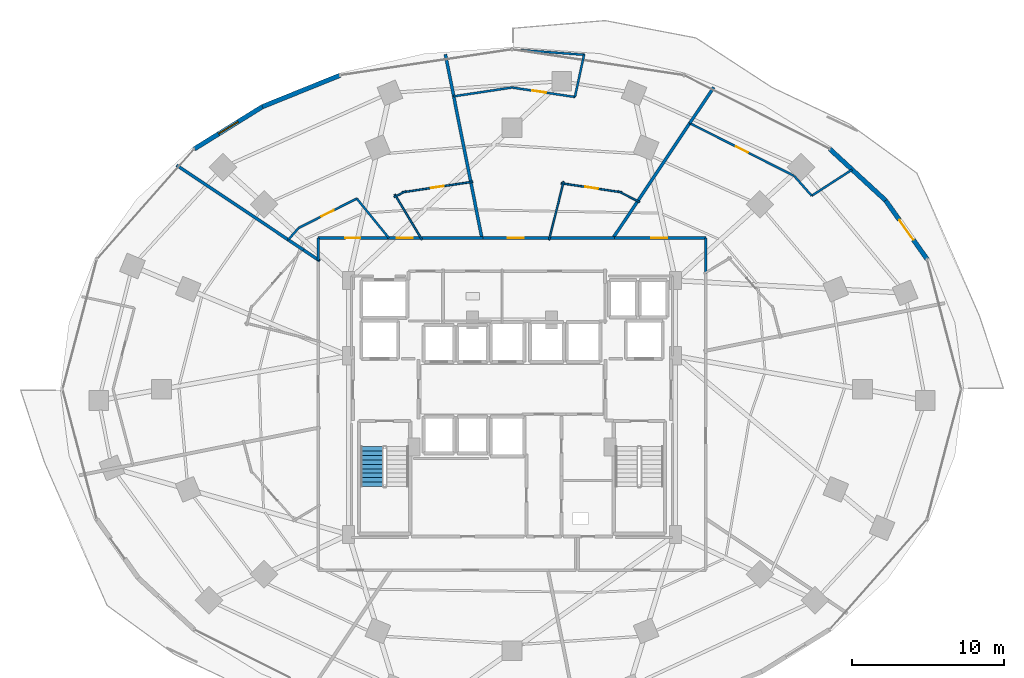
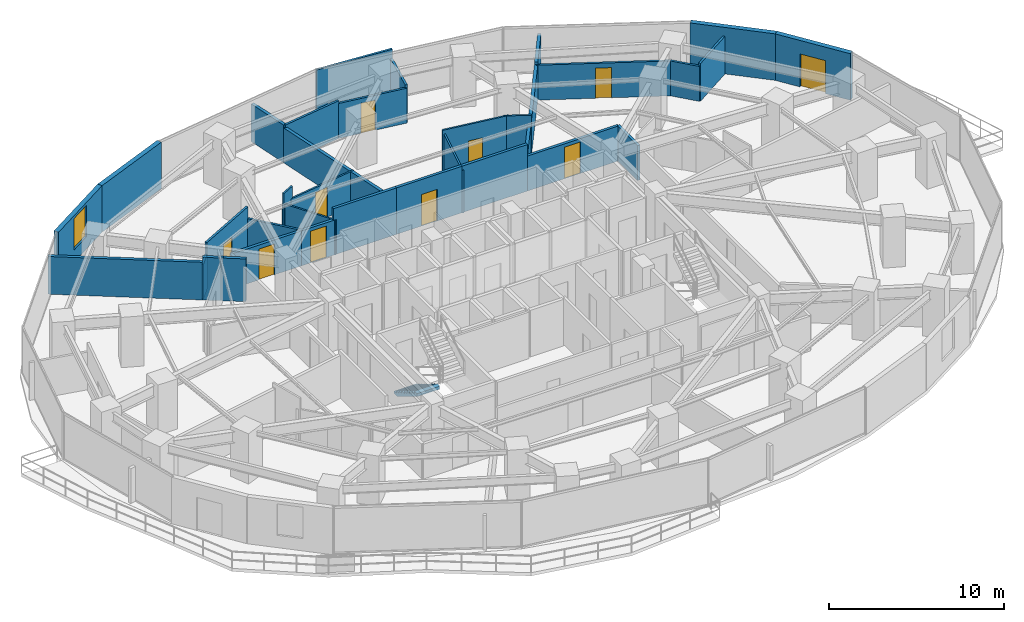
# One storey, part 29 of 33: 35 walls, 10 doors, 1 stair flight, 1 window, 11 openings, 1 element without a shape of its own.
"""IFC4 building model written with IfcOpenShell, lengths in metres."""

from ifc_helpers import new_model, si_unit, direction, frame, frame_2d, origin, place, context, subcontext, project, spatial, polyline, rectangle, outline, extrude, material, layer, layer_set, type_object, element, fill, aggregate, save


model = new_model("IFC4")

# Units and contexts
model_context = context("Model", 3, precision=1e-05, world=origin(), true_north=direction((0.0, 1.0)))
body_context = subcontext(model_context, "Body", "Model", "MODEL_VIEW")
ifc_project = project(units=[si_unit("LENGTHUNIT", "METRE"), si_unit("AREAUNIT", "SQUARE_METRE"), si_unit("VOLUMEUNIT", "CUBIC_METRE"), si_unit("PLANEANGLEUNIT", "RADIAN"), si_unit("MASSUNIT", "GRAM", prefix="KILO")], contexts=[model_context])

# Site, building, storey
site_placement = place(None, origin())
site = spatial("IfcSite", under=ifc_project, at=site_placement, CompositionType="ELEMENT")
building_placement = place(site_placement, origin())
building = spatial("IfcBuilding", under=site, at=building_placement, Name="Vorneva Point Tower", CompositionType="ELEMENT")
storey_placement = place(building_placement, frame((0.0, 0.0, 34.5)))
storey = spatial("IfcBuildingStorey", under=building, at=storey_placement, Name="L08", CompositionType="ELEMENT", Elevation=34.5)

# Wall, opening, door
ifc_material_1 = material(Name="Precast concrete B50 (C40/50)", Category="concrete")
ifc_layer_1 = layer(ifc_material_1, 0.300048828125)
ifc_layer_set_1 = layer_set([ifc_layer_1], Name="Precast concrete B50 (C40/50)")
wall_type_1 = type_object("IfcWallType", Name="WL-EXT-300", PredefinedType="STANDARD", material=ifc_layer_set_1)
wall_1_placement = place(storey_placement, frame((65.300537109375, 34.552978515625, 0.0), z_axis=(0.0, 0.0, 1.0), x_axis=(-0.577130815624, 0.816651713803, 0.0)))
wall_1 = element("IfcWall", 1, at=wall_1_placement, inside=storey, type_object=wall_type_1, Name="L08 Pale-Metal Facade Spandrel Wall 02.1", PredefinedType="STANDARD", context=body_context, shape_type="SweptSolid", body=[
    extrude(rectangle(XDim=4.7314453125, YDim=0.300048828125, at=frame_2d((2.36572265625, 0.0))), origin(), (0.0, 0.0, 1.0), 3.239990234375),
])
opening_1_placement = place(wall_1_placement, frame((1.56591796875, 0.0, 0.0)))
opening_1 = element("IfcOpeningElement", 2, at=opening_1_placement, cuts=wall_1, Name="Opening BD-01", PredefinedType="OPENING", context=body_context, shape_type="SweptSolid", body=[
    extrude(rectangle(XDim=1.60009765625, YDim=2.300048828125, at=frame_2d((0.800048828125, 1.14990234375))), frame((0.0, 0.1650390625, 0.0), z_axis=(0.0, -1.0, 0.0), x_axis=(1.0, 0.0, 0.0)), (0.0, 0.0, 1.0), 0.329833984375),
])
ifc_material_2 = material(Name="Pale anodised aluminium", Category="aluminium")
door_type_1 = type_object("IfcDoorType", Name="DR-BAL-1600", OperationType="SLIDING_TO_LEFT", PredefinedType="DOOR", material=ifc_material_2)
door_1_placement = place(opening_1_placement, origin())
door_1 = element("IfcDoor", 3, at=door_1_placement, inside=storey, type_object=door_type_1, Name="L08 Balcony Terrace Access Door 02", OperationType="SLIDING_TO_LEFT", OverallHeight=2.300048828125, OverallWidth=1.60009765625, PredefinedType="DOOR", context=body_context, shape_type="SweptSolid", body=[
    extrude(rectangle(XDim=1.60009765625, YDim=2.300048828125, at=frame_2d((0.800048828125, 1.14990234375))), frame((0.0, 0.02490234375, 0.0), z_axis=(0.0, -1.0, 0.0), x_axis=(1.0, 0.0, 0.0)), (0.0, 0.0, 1.0), 0.050048828125),
])
fill(opening_1, door_1)

# Walls
wall_2_placement = place(storey_placement, frame((62.56982421875, 38.4169921875, 0.0), z_axis=(0.0, 0.0, 1.0), x_axis=(-0.735342629635, 0.677695519419, 0.0)))
element("IfcWall", 4, at=wall_2_placement, inside=storey, type_object=wall_type_1, Name="L08 Pale-Metal Facade Spandrel Wall 02.2", PredefinedType="STANDARD", context=body_context, shape_type="SweptSolid", body=[
    extrude(rectangle(XDim=4.997314453125, YDim=0.300048828125, at=frame_2d((2.49853515625, 0.0))), origin(), (0.0, 0.0, 1.0), 3.239990234375),
])
wall_3_placement = place(storey_placement, frame((26.691650390625, 46.648681640625, 0.0), z_axis=(0.0, 0.0, 1.0), x_axis=(-0.927095325176, -0.374825636845, 0.0)))
element("IfcWall", 5, at=wall_3_placement, inside=storey, type_object=wall_type_1, Name="L08 Pale-Metal Facade Spandrel Wall 06.1", PredefinedType="STANDARD", context=body_context, shape_type="SweptSolid", body=[
    extrude(rectangle(XDim=5.51025390625, YDim=0.300048828125, at=frame_2d((2.755126953125, 0.0))), origin(), (0.0, 0.0, 1.0), 3.239990234375),
])

# Wall, opening, window
wall_4_placement = place(storey_placement, frame((21.5830078125, 44.583251953125, 0.0), z_axis=(0.0, 0.0, 1.0), x_axis=(-0.849633724826, -0.527373239404, 0.0)))
wall_4 = element("IfcWall", 6, at=wall_4_placement, inside=storey, type_object=wall_type_1, Name="L08 Pale-Metal Facade Spandrel Wall 06.2", PredefinedType="STANDARD", context=body_context, shape_type="SweptSolid", body=[
    extrude(rectangle(XDim=5.2705078125, YDim=0.300048828125, at=frame_2d((2.63525390625, 0.0))), origin(), (0.0, 0.0, 1.0), 3.239990234375),
])
opening_2_placement = place(wall_4_placement, frame((1.88525390625, 0.0, 0.85009765625)))
opening_2 = element("IfcOpeningElement", 7, at=opening_2_placement, cuts=wall_4, Name="Opening W-02", PredefinedType="OPENING", context=body_context, shape_type="SweptSolid", body=[
    extrude(rectangle(XDim=1.5, YDim=2.18994140625, at=frame_2d((0.75, 1.094970703125))), frame((0.0, 0.1650390625, 0.0), z_axis=(0.0, -1.0, 0.0), x_axis=(1.0, 0.0, 0.0)), (0.0, 0.0, 1.0), 0.329833984375),
])
ifc_material_3 = material(Name="Double low-e laminated glass IGU", Category="glass")
window_type = type_object("IfcWindowType", Name="WN-HTL-1500", PartitioningType="SINGLE_PANEL", PredefinedType="WINDOW", material=ifc_material_3)
window_placement = place(opening_2_placement, origin())
window = element("IfcWindow", 8, at=window_placement, inside=storey, type_object=window_type, Name="L08 Facade Window 06", OverallHeight=2.18994140625, OverallWidth=1.5, PartitioningType="SINGLE_PANEL", PredefinedType="WINDOW", context=body_context, shape_type="SweptSolid", body=[
    extrude(rectangle(XDim=1.5, YDim=2.18994140625, at=frame_2d((0.75, 1.094970703125))), frame((0.0, 0.030029296875, 0.0), z_axis=(0.0, -1.0, 0.0), x_axis=(1.0, 0.0, 0.0)), (0.0, 0.0, 1.0), 0.06005859375),
])
fill(opening_2, window)

# Wall
ifc_material_4 = material(Name="Fire-rated acoustic gypsum stud partition", Category="gypsum")
ifc_layer_2 = layer(ifc_material_4, 0.110107421875)
ifc_layer_set_2 = layer_set([ifc_layer_2], Name="Fire-rated acoustic gypsum stud partition")
wall_type_2 = type_object("IfcWallType", Name="WL-PART-110", PredefinedType="PARTITIONING", material=ifc_layer_set_2)
wall_5_placement = place(storey_placement, frame((40.438232421875, 35.814208984375, 0.0), z_axis=(0.0, 0.0, 1.0), x_axis=(0.24101554649, 0.970521254971, 0.0)))
element("IfcWall", 9, at=wall_5_placement, inside=storey, type_object=wall_type_2, Name="L08 Interior Partition 053", PredefinedType="PARTITIONING", context=body_context, shape_type="SweptSolid", body=[
    extrude(rectangle(XDim=3.96875, YDim=0.110107421875, at=frame_2d((1.984375, 0.0))), origin(), (0.0, 0.0, 1.0), 2.971923828125),
])

# Wall, opening, door
wall_6_placement = place(storey_placement, frame((41.22265625, 39.55078125, 0.0), z_axis=(0.0, 0.0, 1.0), x_axis=(0.988911221338, -0.148507899833, 0.0)))
wall_6 = element("IfcWall", 10, at=wall_6_placement, inside=storey, type_object=wall_type_2, Name="L08 Interior Partition 054", PredefinedType="PARTITIONING", context=body_context, shape_type="SweptSolid", body=[
    extrude(rectangle(XDim=4.06396484375, YDim=0.110107421875, at=frame_2d((2.031982421875, 0.0))), origin(), (0.0, 0.0, 1.0), 3.239990234375),
])
opening_3_placement = place(wall_6_placement, frame((1.60693359375, 0.0, 0.0)))
opening_3 = element("IfcOpeningElement", 11, at=opening_3_placement, cuts=wall_6, Name="Opening ID-02", PredefinedType="OPENING", context=body_context, shape_type="SweptSolid", body=[
    extrude(rectangle(XDim=0.85009765625, YDim=2.10009765625, at=frame_2d((0.425048828125, 1.050048828125))), frame((0.0, 0.06982421875, 0.0), z_axis=(0.0, -1.0, 0.0), x_axis=(1.0, 0.0, 0.0)), (0.0, 0.0, 1.0), 0.139892578125),
])
ifc_material_5 = material(Name="Engineered oak fire-rated door leaf", Category="wood")
door_type_2 = type_object("IfcDoorType", Name="DR-BATH-850", OperationType="NOTDEFINED", PredefinedType="DOOR", material=ifc_material_5)
door_2_placement = place(opening_3_placement, origin())
door_2 = element("IfcDoor", 12, at=door_2_placement, inside=storey, type_object=door_type_2, Name="L08 Door Corner Suite L08-02 / En-Suite Bathroom L08-02", OperationType="SINGLE_SWING_RIGHT", OverallHeight=2.10009765625, OverallWidth=0.85009765625, PredefinedType="DOOR", context=body_context, shape_type="SweptSolid", body=[
    extrude(rectangle(XDim=0.85009765625, YDim=2.10009765625, at=frame_2d((0.425048828125, 1.050048828125))), frame((0.0, 0.02490234375, 0.0), z_axis=(0.0, -1.0, 0.0), x_axis=(1.0, 0.0, 0.0)), (0.0, 0.0, 1.0), 0.050048828125),
])
fill(opening_3, door_2)

# Walls
wall_7_placement = place(storey_placement, frame((44.97802734375, 39.03125, 0.0), z_axis=(0.0, 0.0, 1.0), x_axis=(0.892388427115, -0.451268096758, 0.0)))
element("IfcWall", 13, at=wall_7_placement, inside=storey, type_object=wall_type_2, Name="L08 Interior Partition 055", PredefinedType="PARTITIONING", context=body_context, shape_type="SweptSolid", body=[
    extrude(rectangle(XDim=1.587890625, YDim=0.110107421875, at=frame_2d((0.7939453125, 0.0))), origin(), (0.0, 0.0, 1.0), 3.239990234375),
])
wall_8_placement = place(storey_placement, frame((32.082275390625, 35.830078125, 0.0), z_axis=(0.0, 0.0, 1.0), x_axis=(-0.51585529038, 0.856675737597, 0.0)))
element("IfcWall", 14, at=wall_8_placement, inside=storey, type_object=wall_type_2, Name="L08 Interior Partition 062", PredefinedType="PARTITIONING", context=body_context, shape_type="SweptSolid", body=[
    extrude(rectangle(XDim=3.484130859375, YDim=0.110107421875, at=frame_2d((1.7421875, 0.0))), origin(), (0.0, 0.0, 1.0), 2.431884765625),
])
wall_9_placement = place(storey_placement, frame((30.232177734375, 38.6318359375, 0.0), z_axis=(0.0, 0.0, 1.0), x_axis=(0.892376579336, 0.451291525129, 0.0)))
element("IfcWall", 15, at=wall_9_placement, inside=storey, type_object=wall_type_2, Name="L08 Interior Partition 063", PredefinedType="PARTITIONING", context=body_context, shape_type="SweptSolid", body=[
    extrude(rectangle(XDim=0.885009765625, YDim=0.110107421875, at=frame_2d((0.4423828125, 0.0))), origin(), (0.0, 0.0, 1.0), 3.239990234375),
])

# Wall, opening, door
wall_10_placement = place(storey_placement, frame((30.758544921875, 38.947265625, 0.0), z_axis=(0.0, 0.0, 1.0), x_axis=(0.9889029502, 0.148562966739, 0.0)))
wall_10 = element("IfcWall", 16, at=wall_10_placement, inside=storey, type_object=wall_type_2, Name="L08 Interior Partition 064", PredefinedType="PARTITIONING", context=body_context, shape_type="SweptSolid", body=[
    extrude(rectangle(XDim=4.721435546875, YDim=0.110107421875, at=frame_2d((2.36083984375, 0.0))), origin(), (0.0, 0.0, 1.0), 2.431884765625),
])
opening_4_placement = place(wall_10_placement, frame((1.935546875, 0.0, 0.0)))
opening_4 = element("IfcOpeningElement", 17, at=opening_4_placement, cuts=wall_10, Name="Opening ID-02", PredefinedType="OPENING", context=body_context, shape_type="SweptSolid", body=[
    extrude(rectangle(XDim=0.85009765625, YDim=2.10009765625, at=frame_2d((0.425048828125, 1.050048828125))), frame((0.0, 0.06982421875, 0.0), z_axis=(0.0, -1.0, 0.0), x_axis=(1.0, 0.0, 0.0)), (0.0, 0.0, 1.0), 0.139892578125),
])
door_3_placement = place(opening_4_placement, origin())
door_3 = element("IfcDoor", 18, at=door_3_placement, inside=storey, type_object=door_type_2, Name="L08 Door Junior Suite L08-03 / En-Suite Bathroom L08-03", OperationType="SINGLE_SWING_LEFT", OverallHeight=2.10009765625, OverallWidth=0.85009765625, PredefinedType="DOOR", context=body_context, shape_type="SweptSolid", body=[
    extrude(rectangle(XDim=0.85009765625, YDim=2.10009765625, at=frame_2d((0.425048828125, 1.050048828125))), frame((0.0, 0.02490234375, 0.0), z_axis=(0.0, -1.0, 0.0), x_axis=(1.0, 0.0, 0.0)), (0.0, 0.0, 1.0), 0.050048828125),
])
fill(opening_4, door_3)

# Walls
ifc_layer_3 = layer(ifc_material_4, 0.139892578125)
ifc_layer_set_3 = layer_set([ifc_layer_3], Name="Fire-rated acoustic gypsum stud partition")
wall_type_3 = type_object("IfcWallType", Name="WL-PART-140", PredefinedType="PARTITIONING", material=ifc_layer_set_3)
wall_11_placement = place(storey_placement, frame((60.368896484375, 40.443115234375, 0.0), z_axis=(0.0, 0.0, 1.0), x_axis=(-0.840157237287, -0.542342895809, 0.0)))
element("IfcWall", 19, at=wall_11_placement, inside=storey, type_object=wall_type_3, Name="L08 Interior Partition 046", PredefinedType="PARTITIONING", context=body_context, shape_type="SweptSolid", body=[
    extrude(rectangle(XDim=3.166015625, YDim=0.139892578125, at=frame_2d((1.5830078125, 0.0))), origin(), (0.0, 0.0, 1.0), 2.6240234375),
])
wall_12_placement = place(storey_placement, frame((57.708984375, 38.72607421875, 0.0), z_axis=(0.0, 0.0, 1.0), x_axis=(-0.662510427818, 0.749052690425, 0.0)))
element("IfcWall", 20, at=wall_12_placement, inside=storey, type_object=wall_type_3, Name="L08 Interior Partition 047", PredefinedType="PARTITIONING", context=body_context, shape_type="SweptSolid", body=[
    extrude(rectangle(XDim=1.743408203125, YDim=0.139892578125, at=frame_2d((0.87158203125, 0.0))), origin(), (0.0, 0.0, 1.0), 2.431884765625),
])

# Wall, opening, door
wall_13_placement = place(storey_placement, frame((56.553955078125, 40.031982421875, 0.0), z_axis=(0.0, 0.0, 1.0), x_axis=(-0.892545780062, 0.450956794487, 0.0)))
wall_13 = element("IfcWall", 21, at=wall_13_placement, inside=storey, type_object=wall_type_3, Name="L08 Interior Partition 048", PredefinedType="PARTITIONING", context=body_context, shape_type="SweptSolid", body=[
    extrude(rectangle(XDim=7.688232421875, YDim=0.139892578125, at=frame_2d((3.84423828125, 0.0))), origin(), (0.0, 0.0, 1.0), 2.431884765625),
])
opening_5_placement = place(wall_13_placement, frame((3.39404296875, 0.0, 0.0)))
opening_5 = element("IfcOpeningElement", 22, at=opening_5_placement, cuts=wall_13, Name="Opening ID-01", PredefinedType="OPENING", context=body_context, shape_type="SweptSolid", body=[
    extrude(rectangle(XDim=0.89990234375, YDim=2.10009765625, at=frame_2d((0.449951171875, 1.050048828125))), frame((0.0, 0.0849609375, 0.0), z_axis=(0.0, -1.0, 0.0), x_axis=(1.0, 0.0, 0.0)), (0.0, 0.0, 1.0), 0.169677734375),
])
door_type_3 = type_object("IfcDoorType", Name="DR-ROOM-900", OperationType="NOTDEFINED", PredefinedType="DOOR", material=ifc_material_5)
door_4_placement = place(opening_5_placement, origin())
door_4 = element("IfcDoor", 23, at=door_4_placement, inside=storey, type_object=door_type_3, Name="L08 Door Executive Suite L08-01 / Suite Sitting Study L08-01", OperationType="SINGLE_SWING_LEFT", OverallHeight=2.10009765625, OverallWidth=0.89990234375, PredefinedType="DOOR", context=body_context, shape_type="SweptSolid", body=[
    extrude(rectangle(XDim=0.89990234375, YDim=2.10009765625, at=frame_2d((0.449951171875, 1.050048828125))), frame((0.0, 0.02490234375, 0.0), z_axis=(0.0, -1.0, 0.0), x_axis=(1.0, 0.0, 0.0)), (0.0, 0.0, 1.0), 0.050048828125),
])
fill(opening_5, door_4)

# Walls
wall_14_placement = place(storey_placement, frame((42.7958984375, 47.991943359375, 0.0), z_axis=(0.0, 0.0, 1.0), x_axis=(-0.99722311136, 0.074471915311, 0.0)))
element("IfcWall", 24, at=wall_14_placement, inside=storey, type_object=wall_type_3, Name="L08 Interior Partition 056", PredefinedType="PARTITIONING", context=body_context, shape_type="SweptSolid", body=[
    extrude(rectangle(XDim=4.809326171875, YDim=0.139892578125, at=frame_2d((2.40478515625, 0.0))), origin(), (0.0, 0.0, 1.0), 3.239990234375),
])
wall_15_placement = place(storey_placement, frame((42.736083984375, 47.99609375, 0.0), z_axis=(0.0, 0.0, 1.0), x_axis=(-0.210697687201, -0.977551269555, 0.0)))
element("IfcWall", 25, at=wall_15_placement, inside=storey, type_object=wall_type_3, Name="L08 Interior Partition 057", PredefinedType="PARTITIONING", context=body_context, shape_type="SweptSolid", body=[
    extrude(rectangle(XDim=2.8388671875, YDim=0.139892578125, at=frame_2d((1.41943359375, 0.0))), origin(), (0.0, 0.0, 1.0), 2.6240234375),
])

# Wall, opening, door
wall_16_placement = place(storey_placement, frame((42.137939453125, 45.220947265625, 0.0), z_axis=(0.0, 0.0, 1.0), x_axis=(-0.988853606593, 0.148891049857, 0.0)))
wall_16 = element("IfcWall", 26, at=wall_16_placement, inside=storey, type_object=wall_type_3, Name="L08 Interior Partition 058", PredefinedType="PARTITIONING", context=body_context, shape_type="SweptSolid", body=[
    extrude(rectangle(XDim=4.1845703125, YDim=0.139892578125, at=frame_2d((2.09228515625, 0.0))), origin(), (0.0, 0.0, 1.0), 2.431884765625),
])
opening_6_placement = place(wall_16_placement, frame((1.92236328125, 0.0, 0.0)))
opening_6 = element("IfcOpeningElement", 27, at=opening_6_placement, cuts=wall_16, Name="Opening ID-01", PredefinedType="OPENING", context=body_context, shape_type="SweptSolid", body=[
    extrude(rectangle(XDim=0.89990234375, YDim=2.10009765625, at=frame_2d((0.449951171875, 1.050048828125))), frame((0.0, 0.0849609375, 0.0), z_axis=(0.0, -1.0, 0.0), x_axis=(1.0, 0.0, 0.0)), (0.0, 0.0, 1.0), 0.169677734375),
])
door_5_placement = place(opening_6_placement, origin())
door_5 = element("IfcDoor", 28, at=door_5_placement, inside=storey, type_object=door_type_3, Name="L08 Door Corner Suite L08-02 / Suite Sitting Study L08-02", OperationType="SINGLE_SWING_RIGHT", OverallHeight=2.10009765625, OverallWidth=0.89990234375, PredefinedType="DOOR", context=body_context, shape_type="SweptSolid", body=[
    extrude(rectangle(XDim=0.89990234375, YDim=2.10009765625, at=frame_2d((0.449951171875, 1.050048828125))), frame((0.0, 0.02490234375, 0.0), z_axis=(0.0, -1.0, 0.0), x_axis=(1.0, 0.0, 0.0)), (0.0, 0.0, 1.0), 0.050048828125),
])
fill(opening_6, door_5)

# Walls
wall_17_placement = place(storey_placement, frame((38.0, 45.843994140625, 0.0), z_axis=(0.0, 0.0, 1.0), x_axis=(-0.988862311426, -0.148833225599, 0.0)))
element("IfcWall", 29, at=wall_17_placement, inside=storey, type_object=wall_type_3, Name="L08 Interior Partition 059", PredefinedType="PARTITIONING", context=body_context, shape_type="SweptSolid", body=[
    extrude(rectangle(XDim=3.876220703125, YDim=0.139892578125, at=frame_2d((1.93798828125, 0.0))), origin(), (0.0, 0.0, 1.0), 2.6240234375),
])
wall_18_placement = place(storey_placement, frame((23.283935546875, 35.83203125, 0.0), z_axis=(0.0, 0.0, 1.0), x_axis=(0.662462125237, 0.749095409561, 0.0)))
element("IfcWall", 30, at=wall_18_placement, inside=storey, type_object=wall_type_3, Name="L08 Interior Partition 065", PredefinedType="PARTITIONING", context=body_context, shape_type="SweptSolid", body=[
    extrude(rectangle(XDim=1.037109375, YDim=0.139892578125, at=frame_2d((0.5185546875, 0.0))), origin(), (0.0, 0.0, 1.0), 2.431884765625),
])

# Wall, opening, door
wall_19_placement = place(storey_placement, frame((23.970947265625, 36.60888671875, 0.0), z_axis=(0.0, 0.0, 1.0), x_axis=(0.892445030909, 0.451156144596, 0.0)))
wall_19 = element("IfcWall", 31, at=wall_19_placement, inside=storey, type_object=wall_type_3, Name="L08 Interior Partition 066", PredefinedType="PARTITIONING", context=body_context, shape_type="SweptSolid", body=[
    extrude(rectangle(XDim=4.280517578125, YDim=0.139892578125, at=frame_2d((2.14013671875, 0.0))), origin(), (0.0, 0.0, 1.0), 3.239990234375),
])
opening_7_placement = place(wall_19_placement, frame((1.690185546875, 0.0, 0.0)))
opening_7 = element("IfcOpeningElement", 32, at=opening_7_placement, cuts=wall_19, Name="Opening ID-01", PredefinedType="OPENING", context=body_context, shape_type="SweptSolid", body=[
    extrude(rectangle(XDim=0.89990234375, YDim=2.10009765625, at=frame_2d((0.449951171875, 1.050048828125))), frame((0.0, 0.0849609375, 0.0), z_axis=(0.0, -1.0, 0.0), x_axis=(1.0, 0.0, 0.0)), (0.0, 0.0, 1.0), 0.169677734375),
])
door_6_placement = place(opening_7_placement, origin())
door_6 = element("IfcDoor", 33, at=door_6_placement, inside=storey, type_object=door_type_3, Name="L08 Door Junior Suite L08-03 / Suite Sitting Study L08-03", OperationType="SINGLE_SWING_RIGHT", OverallHeight=2.10009765625, OverallWidth=0.89990234375, PredefinedType="DOOR", context=body_context, shape_type="SweptSolid", body=[
    extrude(rectangle(XDim=0.89990234375, YDim=2.10009765625, at=frame_2d((0.449951171875, 1.050048828125))), frame((0.0, 0.02490234375, 0.0), z_axis=(0.0, -1.0, 0.0), x_axis=(1.0, 0.0, 0.0)), (0.0, 0.0, 1.0), 0.050048828125),
])
fill(opening_7, door_6)

# Walls
wall_20_placement = place(storey_placement, frame((27.791015625, 38.5400390625, 0.0), z_axis=(0.0, 0.0, 1.0), x_axis=(0.631217195835, -0.775606118904, 0.0)))
element("IfcWall", 34, at=wall_20_placement, inside=storey, type_object=wall_type_3, Name="L08 Interior Partition 067", PredefinedType="PARTITIONING", context=body_context, shape_type="SweptSolid", body=[
    extrude(rectangle(XDim=3.33935546875, YDim=0.139892578125, at=frame_2d((1.669677734375, 0.0))), origin(), (0.0, 0.0, 1.0), 2.431884765625),
])
ifc_material_6 = material(Name="Autoclaved aerated concrete blockwork", Category="masonry")
ifc_layer_4 = layer(ifc_material_6, 0.179931640625)
ifc_layer_set_4 = layer_set([ifc_layer_4], Name="Autoclaved aerated concrete blockwork")
wall_type_4 = type_object("IfcWallType", Name="WL-PART-180", PredefinedType="PARTITIONING", material=ifc_layer_set_4)
wall_21_placement = place(storey_placement, frame((50.75, 33.615966796875, 0.0), z_axis=(0.0, 0.0, 1.0), x_axis=(0.0, 1.0, 0.0)))
element("IfcWall", 35, at=wall_21_placement, inside=storey, type_object=wall_type_4, Name="L08 Interior Partition 022", PredefinedType="PARTITIONING", context=body_context, shape_type="SweptSolid", body=[
    extrude(rectangle(XDim=2.333984375, YDim=0.179931640625, at=frame_2d((1.1669921875, 0.0))), origin(), (0.0, 0.0, 1.0), 2.431884765625),
])

# Wall, opening, door
wall_22_placement = place(storey_placement, frame((50.75, 35.949951171875, 0.0), z_axis=(0.0, 0.0, 1.0), x_axis=(-1.0, 0.0, 0.0)))
wall_22 = element("IfcWall", 36, at=wall_22_placement, inside=storey, type_object=wall_type_4, Name="L08 Interior Partition 023", PredefinedType="PARTITIONING", context=body_context, shape_type="SweptSolid", body=[
    extrude(rectangle(XDim=6.162109375, YDim=0.179931640625, at=frame_2d((3.0810546875, 0.0))), origin(), (0.0, 0.0, 1.0), 2.431884765625),
])
opening_8_placement = place(wall_22_placement, frame((2.555908203125, 0.0, 0.0)))
opening_8 = element("IfcOpeningElement", 37, at=opening_8_placement, cuts=wall_22, Name="Opening UD-02", PredefinedType="OPENING", context=body_context, shape_type="SweptSolid", body=[
    extrude(rectangle(XDim=1.050048828125, YDim=2.199951171875, at=frame_2d((0.52490234375, 1.10009765625))), frame((0.0, 0.10498046875, 0.0), z_axis=(0.0, -1.0, 0.0), x_axis=(1.0, 0.0, 0.0)), (0.0, 0.0, 1.0), 0.209716796875),
])
door_type_4 = type_object("IfcDoorType", Name="DR-SUITE-1050", OperationType="NOTDEFINED", PredefinedType="DOOR", material=ifc_material_5)
door_7_placement = place(opening_8_placement, origin())
door_7 = element("IfcDoor", 38, at=door_7_placement, inside=storey, type_object=door_type_4, Name="L08 Door L08 Circulation Corridor / Executive Suite L08-01", OperationType="SINGLE_SWING_LEFT", OverallHeight=2.199951171875, OverallWidth=1.050048828125, PredefinedType="DOOR", context=body_context, shape_type="SweptSolid", body=[
    extrude(rectangle(XDim=1.050048828125, YDim=2.199951171875, at=frame_2d((0.52490234375, 1.10009765625))), frame((0.0, 0.02490234375, 0.0), z_axis=(0.0, -1.0, 0.0), x_axis=(1.0, 0.0, 0.0)), (0.0, 0.0, 1.0), 0.050048828125),
])
fill(opening_8, door_7)

wall_23_placement = place(storey_placement, frame((40.533935546875, 35.949951171875, 0.0), z_axis=(0.0, 0.0, 1.0), x_axis=(-1.0, 0.0, 0.0)))
wall_23 = element("IfcWall", 39, at=wall_23_placement, inside=storey, type_object=wall_type_4, Name="L08 Interior Partition 025", PredefinedType="PARTITIONING", context=body_context, shape_type="SweptSolid", body=[
    extrude(rectangle(XDim=4.573974609375, YDim=0.179931640625, at=frame_2d((2.287109375, 0.0))), origin(), (0.0, 0.0, 1.0), 3.239990234375),
])
opening_9_placement = place(wall_23_placement, frame((1.761962890625, 0.0, 0.0)))
opening_9 = element("IfcOpeningElement", 40, at=opening_9_placement, cuts=wall_23, Name="Opening UD-02", PredefinedType="OPENING", context=body_context, shape_type="SweptSolid", body=[
    extrude(rectangle(XDim=1.050048828125, YDim=2.199951171875, at=frame_2d((0.52490234375, 1.10009765625))), frame((0.0, 0.10498046875, 0.0), z_axis=(0.0, -1.0, 0.0), x_axis=(1.0, 0.0, 0.0)), (0.0, 0.0, 1.0), 0.209716796875),
])
door_8_placement = place(opening_9_placement, origin())
door_8 = element("IfcDoor", 41, at=door_8_placement, inside=storey, type_object=door_type_4, Name="L08 Door L08 Circulation Corridor / Corner Suite L08-02", OperationType="SINGLE_SWING_RIGHT", OverallHeight=2.199951171875, OverallWidth=1.050048828125, PredefinedType="DOOR", context=body_context, shape_type="SweptSolid", body=[
    extrude(rectangle(XDim=1.050048828125, YDim=2.199951171875, at=frame_2d((0.52490234375, 1.10009765625))), frame((0.0, 0.02490234375, 0.0), z_axis=(0.0, -1.0, 0.0), x_axis=(1.0, 0.0, 0.0)), (0.0, 0.0, 1.0), 0.050048828125),
])
fill(opening_9, door_8)

# Wall
wall_24_placement = place(storey_placement, frame((44.72802734375, 35.949951171875, 0.0), z_axis=(0.0, 0.0, 1.0), x_axis=(-1.0, 0.0, 0.0)))
element("IfcWall", 42, at=wall_24_placement, inside=storey, type_object=wall_type_4, Name="L08 Interior Partition 026", PredefinedType="PARTITIONING", context=body_context, shape_type="SweptSolid", body=[
    extrude(rectangle(XDim=4.333984375, YDim=0.179931640625, at=frame_2d((2.1669921875, 0.0))), origin(), (0.0, 0.0, 1.0), 3.239990234375),
])

# Wall, opening, door
wall_25_placement = place(storey_placement, frame((32.070068359375, 35.949951171875, 0.0), z_axis=(0.0, 0.0, 1.0), x_axis=(-1.0, 0.0, 0.0)))
wall_25 = element("IfcWall", 43, at=wall_25_placement, inside=storey, type_object=wall_type_4, Name="L08 Interior Partition 027", PredefinedType="PARTITIONING", context=body_context, shape_type="SweptSolid", body=[
    extrude(rectangle(XDim=2.248046875, YDim=0.179931640625, at=frame_2d((1.1240234375, 0.0))), origin(), (0.0, 0.0, 1.0), 2.431884765625),
])
opening_10_placement = place(wall_25_placement, frame((0.59912109375, 0.0, 0.0)))
opening_10 = element("IfcOpeningElement", 44, at=opening_10_placement, cuts=wall_25, Name="Opening UD-02", PredefinedType="OPENING", context=body_context, shape_type="SweptSolid", body=[
    extrude(rectangle(XDim=1.050048828125, YDim=2.199951171875, at=frame_2d((0.52490234375, 1.10009765625))), frame((0.0, 0.10498046875, 0.0), z_axis=(0.0, -1.0, 0.0), x_axis=(1.0, 0.0, 0.0)), (0.0, 0.0, 1.0), 0.209716796875),
])
door_9_placement = place(opening_10_placement, origin())
door_9 = element("IfcDoor", 45, at=door_9_placement, inside=storey, type_object=door_type_4, Name="L08 Door L08 Circulation Corridor / Junior Suite L08-03", OperationType="SINGLE_SWING_LEFT", OverallHeight=2.199951171875, OverallWidth=1.050048828125, PredefinedType="DOOR", context=body_context, shape_type="SweptSolid", body=[
    extrude(rectangle(XDim=1.050048828125, YDim=2.199951171875, at=frame_2d((0.52490234375, 1.10009765625))), frame((0.0, 0.02490234375, 0.0), z_axis=(0.0, -1.0, 0.0), x_axis=(1.0, 0.0, 0.0)), (0.0, 0.0, 1.0), 0.050048828125),
])
fill(opening_10, door_9)

# Wall
wall_26_placement = place(storey_placement, frame((36.10009765625, 35.949951171875, 0.0), z_axis=(0.0, 0.0, 1.0), x_axis=(-1.0, 0.0, 0.0)))
element("IfcWall", 46, at=wall_26_placement, inside=storey, type_object=wall_type_4, Name="L08 Interior Partition 028", PredefinedType="PARTITIONING", context=body_context, shape_type="SweptSolid", body=[
    extrude(rectangle(XDim=4.170166015625, YDim=0.179931640625, at=frame_2d((2.0849609375, 0.0))), origin(), (0.0, 0.0, 1.0), 3.239990234375),
])

# Wall, opening, door
wall_27_placement = place(storey_placement, frame((29.822021484375, 35.949951171875, 0.0), z_axis=(0.0, 0.0, 1.0), x_axis=(-1.0, 0.0, 0.0)))
wall_27 = element("IfcWall", 47, at=wall_27_placement, inside=storey, type_object=wall_type_4, Name="L08 Interior Partition 029", PredefinedType="PARTITIONING", context=body_context, shape_type="SweptSolid", body=[
    extrude(rectangle(XDim=4.572021484375, YDim=0.179931640625, at=frame_2d((2.2861328125, 0.0))), origin(), (0.0, 0.0, 1.0), 2.431884765625),
])
opening_11_placement = place(wall_27_placement, frame((1.785888671875, 0.0, 0.0)))
opening_11 = element("IfcOpeningElement", 48, at=opening_11_placement, cuts=wall_27, Name="Opening UD-01", PredefinedType="OPENING", context=body_context, shape_type="SweptSolid", body=[
    extrude(rectangle(XDim=1.0, YDim=2.14990234375, at=frame_2d((0.5, 1.074951171875))), frame((0.0, 0.10498046875, 0.0), z_axis=(0.0, -1.0, 0.0), x_axis=(1.0, 0.0, 0.0)), (0.0, 0.0, 1.0), 0.209716796875),
])
door_type_5 = type_object("IfcDoorType", Name="DR-UNIT-1000", OperationType="NOTDEFINED", PredefinedType="DOOR", material=ifc_material_5)
door_10_placement = place(opening_11_placement, origin())
door_10 = element("IfcDoor", 49, at=door_10_placement, inside=storey, type_object=door_type_5, Name="L08 Door L08 Circulation Corridor / Suite Sitting Study L08-03", OperationType="SINGLE_SWING_RIGHT", OverallHeight=2.14990234375, OverallWidth=1.0, PredefinedType="DOOR", context=body_context, shape_type="SweptSolid", body=[
    extrude(rectangle(XDim=1.0, YDim=2.14990234375, at=frame_2d((0.5, 1.074951171875))), frame((0.0, 0.02490234375, 0.0), z_axis=(0.0, -1.0, 0.0), x_axis=(1.0, 0.0, 0.0)), (0.0, 0.0, 1.0), 0.050048828125),
])
fill(opening_11, door_10)

# Walls
wall_28_placement = place(storey_placement, frame((25.25, 35.949951171875, 0.0), z_axis=(0.0, 0.0, 1.0), x_axis=(0.0, -1.0, 0.0)))
element("IfcWall", 50, at=wall_28_placement, inside=storey, type_object=wall_type_4, Name="L08 Interior Partition 030", PredefinedType="PARTITIONING", context=body_context, shape_type="SweptSolid", body=[
    extrude(rectangle(XDim=1.490966796875, YDim=0.179931640625, at=frame_2d((0.74560546875, 0.0))), origin(), (0.0, 0.0, 1.0), 2.431884765625),
])
ifc_layer_5 = layer(ifc_material_6, 0.199951171875)
ifc_layer_set_5 = layer_set([ifc_layer_5], Name="Autoclaved aerated concrete blockwork")
wall_type_5 = type_object("IfcWallType", Name="WL-PART-200", PredefinedType="PARTITIONING", material=ifc_layer_set_5)
wall_29_placement = place(storey_placement, frame((49.69189453125, 43.4990234375, 0.0), z_axis=(0.0, 0.0, 1.0), x_axis=(-0.555556259167, -0.831478949163, 0.0)))
element("IfcWall", 51, at=wall_29_placement, inside=storey, type_object=wall_type_5, Name="L08 Interior Partition 049", PredefinedType="PARTITIONING", context=body_context, shape_type="SweptSolid", body=[
    extrude(rectangle(XDim=9.0791015625, YDim=0.199951171875, at=frame_2d((4.53955078125, 0.0))), origin(), (0.0, 0.0, 1.0), 2.431884765625),
])
wall_30_placement = place(storey_placement, frame((51.26708984375, 45.85595703125, 0.0), z_axis=(0.0, 0.0, 1.0), x_axis=(-0.555653789226, -0.831413775757, 0.0)))
element("IfcWall", 52, at=wall_30_placement, inside=storey, type_object=wall_type_5, Name="L08 Interior Partition 052", PredefinedType="PARTITIONING", context=body_context, shape_type="SweptSolid", body=[
    extrude(rectangle(XDim=2.8349609375, YDim=0.199951171875, at=frame_2d((1.41748046875, 0.0))), origin(), (0.0, 0.0, 1.0), 2.6240234375),
])
wall_31_placement = place(storey_placement, frame((34.1669921875, 45.26708984375, 0.0), z_axis=(0.0, 0.0, 1.0), x_axis=(0.19516219459, -0.980770981322, 0.0)))
element("IfcWall", 53, at=wall_31_placement, inside=storey, type_object=wall_type_5, Name="L08 Interior Partition 060", PredefinedType="PARTITIONING", context=body_context, shape_type="SweptSolid", body=[
    extrude(rectangle(XDim=9.499755859375, YDim=0.199951171875, at=frame_2d((4.75, 0.0))), origin(), (0.0, 0.0, 1.0), 2.431884765625),
])
wall_32_placement = place(storey_placement, frame((33.618896484375, 48.02294921875, 0.0), z_axis=(0.0, 0.0, 1.0), x_axis=(0.195063341769, -0.980790646722, 0.0)))
element("IfcWall", 54, at=wall_32_placement, inside=storey, type_object=wall_type_5, Name="L08 Interior Partition 061", PredefinedType="PARTITIONING", context=body_context, shape_type="SweptSolid", body=[
    extrude(rectangle(XDim=2.809814453125, YDim=0.199951171875, at=frame_2d((1.40478515625, 0.0))), origin(), (0.0, 0.0, 1.0), 2.6240234375),
])
wall_33_placement = place(storey_placement, frame((15.947021484375, 40.735107421875, 0.0), z_axis=(0.0, 0.0, 1.0), x_axis=(0.831432604336, -0.555625615363, 0.0)))
element("IfcWall", 55, at=wall_33_placement, inside=storey, type_object=wall_type_5, Name="L08 Interior Partition 068", PredefinedType="PARTITIONING", context=body_context, shape_type="SweptSolid", body=[
    extrude(rectangle(XDim=8.824462890625, YDim=0.199951171875, at=frame_2d((4.412109375, 0.0))), origin(), (0.0, 0.0, 1.0), 2.6240234375),
])
wall_34_placement = place(storey_placement, frame((23.283935546875, 35.83203125, 0.0), z_axis=(0.0, 0.0, 1.0), x_axis=(0.831550226979, -0.555449565677, 0.0)))
element("IfcWall", 56, at=wall_34_placement, inside=storey, type_object=wall_type_5, Name="L08 Interior Partition 069", PredefinedType="PARTITIONING", context=body_context, shape_type="SweptSolid", body=[
    extrude(rectangle(XDim=1.20263671875, YDim=0.199951171875, at=frame_2d((0.601318359375, 0.0))), origin(), (0.0, 0.0, 1.0), 2.971923828125),
])
wall_35_placement = place(storey_placement, frame((24.16748046875, 35.241455078125, 0.0), z_axis=(0.0, 0.0, 1.0), x_axis=(0.831815696492, -0.555051931868, 0.0)))
element("IfcWall", 57, at=wall_35_placement, inside=storey, type_object=wall_type_5, Name="L08 Interior Partition 070", PredefinedType="PARTITIONING", context=body_context, shape_type="SweptSolid", body=[
    extrude(rectangle(XDim=1.44140625, YDim=0.199951171875, at=frame_2d((0.720703125, 0.0))), origin(), (0.0, 0.0, 1.0), 2.971923828125),
])

# Stair, stair flight
ifc_material_7 = material(Name="Concrete B50 (C40/50)", Category="concrete")
stair_type = type_object("IfcStairType", Name="ST-DOG-1500", PredefinedType="HALF_TURN_STAIR", material=ifc_material_7)
stair_placement = place(storey_placement, origin())
stair = element("IfcStair", 58, at=stair_placement, inside=storey, type_object=stair_type, Name="L08 ST1", PredefinedType="HALF_TURN_STAIR")
stair_flight_type = type_object("IfcStairFlightType", Name="STF-1500", PredefinedType="STRAIGHT", material=ifc_material_7)
stair_flight_placement = place(storey_placement, frame((28.800048828125, 22.219970703125, 0.0), z_axis=(0.0, 0.0, 1.0), x_axis=(0.0, -1.0, 0.0)))
stair_flight = element("IfcStairFlight", 59, at=stair_flight_placement, type_object=stair_flight_type, Name="ST1 flight 1", NumberOfRisers=10, NumberOfTreads=9, PredefinedType="STRAIGHT", RiserHeight=0.175, TreadLength=0.29, context=body_context, shape_type="SweptSolid", body=[
    extrude(outline(polyline([(0.0, 0.0), (0.0, 0.175048828125), (0.2900390625, 0.175048828125), (0.2900390625, 0.35009765625), (0.580078125, 0.35009765625), (0.580078125, 0.52490234375), (0.8701171875, 0.52490234375), (0.8701171875, 0.699951171875), (1.159912109375, 0.699951171875), (1.159912109375, 0.875), (1.449951171875, 0.875), (1.449951171875, 1.050048828125), (1.739990234375, 1.050048828125), (1.739990234375, 1.22509765625), (2.030029296875, 1.22509765625), (2.030029296875, 1.39990234375), (2.320068359375, 1.39990234375), (2.320068359375, 1.574951171875), (2.610107421875, 1.574951171875), (2.610107421875, 1.75), (2.610107421875, 1.36474609375), (0.34814453125, 0.0), (0.0, 0.0)])), frame((0.0, 0.75, 0.0), z_axis=(0.0, -1.0, 0.0), x_axis=(1.0, 0.0, 0.0)), (0.0, 0.0, 1.0), 1.5),
])
aggregate(stair, [stair_flight])

save(model, "model.ifc")
